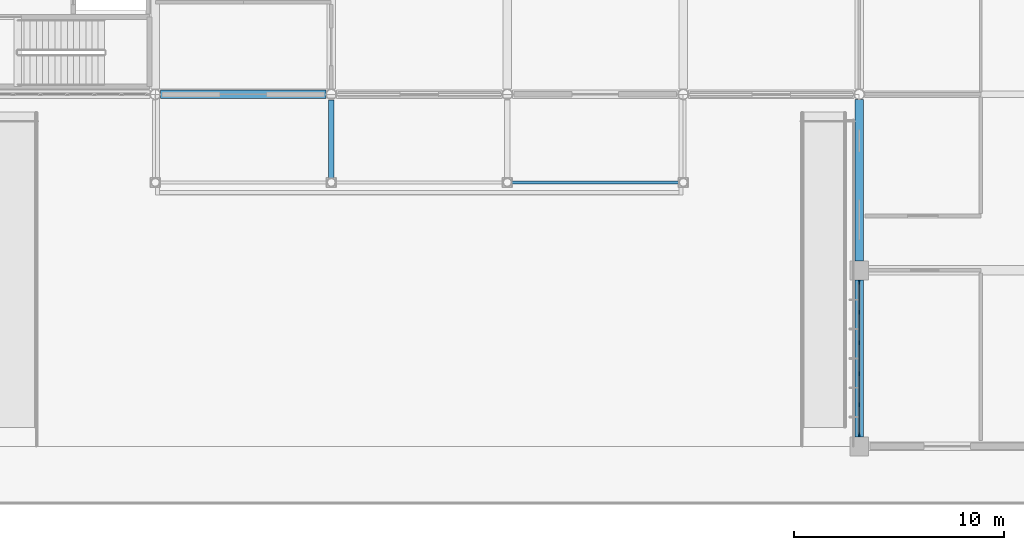
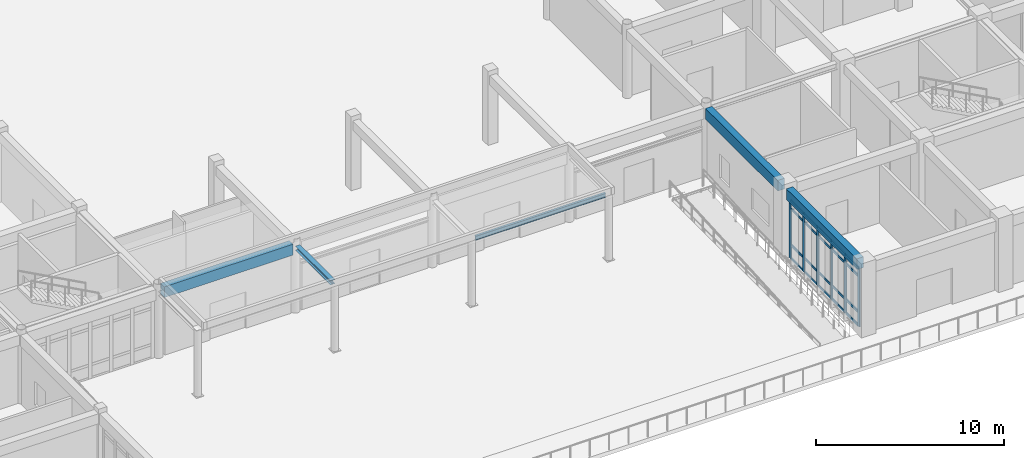
# One storey, part 18 of 138: 26 members, 5 beams, 1 element without a shape of its own.
"""IFC4 building model written with IfcOpenShell, lengths in metres."""

from ifc_helpers import new_model, si_unit, direction, frame, origin, origin_2d, place, context, subcontext, project, spatial, rectangle, i_section, extrude, material, layer, layer_set, material_profile, profile_set, type_object, element, aggregate, save


model = new_model("IFC4")

# Units and contexts
model_context = context("Model", 3, precision=1e-05, world=origin(), true_north=direction((0.0, 1.0)))
body_context = subcontext(model_context, "Body", "Model", "MODEL_VIEW")
ifc_project = project(units=[si_unit("LENGTHUNIT", "METRE"), si_unit("AREAUNIT", "SQUARE_METRE"), si_unit("VOLUMEUNIT", "CUBIC_METRE"), si_unit("PLANEANGLEUNIT", "RADIAN"), si_unit("MASSUNIT", "GRAM", prefix="KILO")], contexts=[model_context])

# Site, building, storey
site_placement = place(None, origin())
site = spatial("IfcSite", under=ifc_project, at=site_placement, CompositionType="ELEMENT")
building_placement = place(site_placement, origin())
building = spatial("IfcBuilding", under=site, at=building_placement, Name="Bramfleet General Hospital", CompositionType="ELEMENT")
storey_placement = place(building_placement, origin())
storey = spatial("IfcBuildingStorey", under=building, at=storey_placement, Name="L00", CompositionType="ELEMENT", Elevation=0.0)

# Beams
ifc_material_1 = material(Name="Steel S355", Category="steel")
ifc_material_profile_1 = material_profile(ifc_material_1, i_section(OverallWidth=0.280029296875, OverallDepth=0.27001953125, WebThickness=0.008056640625, FlangeThickness=0.012939453125, FilletRadius=0.02392578125, at=origin_2d()), Name="HEA 280")
ifc_profile_set_1 = profile_set([ifc_material_profile_1], Name="Steel S355")
beam_type_1 = type_object("IfcBeamType", Name="BM-HEA280", PredefinedType="BEAM", material=ifc_profile_set_1)
beam_1_placement = place(storey_placement, frame((67.199951171875, 12.81005859375, 4.2451171875), z_axis=(0.0, 1.0, 0.0), x_axis=(-1.0, 0.0, 0.0)))
element("IfcBeam", 1, at=beam_1_placement, inside=storey, type_object=beam_type_1, Name="Canopy Outrigger Beam 2", PredefinedType="BEAM", context=body_context, shape_type="SweptSolid", body=[
    extrude(i_section(OverallWidth=0.280029296875, OverallDepth=0.27001953125, WebThickness=0.008056640625, FlangeThickness=0.012939453125, FilletRadius=0.02392578125, at=origin_2d()), origin(), (0.0, 0.0, 1.0), 3.72998046875),
])
ifc_material_profile_2 = material_profile(ifc_material_1, i_section(OverallWidth=0.135009765625, OverallDepth=0.27001953125, WebThickness=0.006591796875, FlangeThickness=0.01025390625, FilletRadius=0.014892578125, at=origin_2d()), Name="IPE 270")
ifc_profile_set_2 = profile_set([ifc_material_profile_2], Name="Steel S355")
beam_type_2 = type_object("IfcBeamType", Name="BM-IPE270", PredefinedType="JOIST", material=ifc_profile_set_2)
beam_2_placement = place(storey_placement, frame((75.81005859375, 12.60009765625, 4.2451171875), z_axis=(1.0, 0.0, 0.0), x_axis=(0.0, 1.0, 0.0)))
element("IfcBeam", 2, at=beam_2_placement, inside=storey, type_object=beam_type_2, Name="Canopy Edge Beam 3", PredefinedType="JOIST", context=body_context, shape_type="SweptSolid", body=[
    extrude(i_section(OverallWidth=0.135009765625, OverallDepth=0.27001953125, WebThickness=0.006591796875, FlangeThickness=0.01025390625, FilletRadius=0.014892578125, at=origin_2d()), origin(), (0.0, 0.0, 1.0), 7.97998046875),
])
ifc_material_2 = material(Name="Concrete C35/45", Category="concrete")
ifc_material_profile_3 = material_profile(ifc_material_2, rectangle(XDim=0.39990234375, YDim=0.699951171875, at=origin_2d()), Name="RC SP 700x400")
ifc_profile_set_3 = profile_set([ifc_material_profile_3], Name="Concrete C35/45")
beam_type_3 = type_object("IfcBeamType", Name="BM-SP700", PredefinedType="SPANDREL", material=ifc_profile_set_3)
beam_3_placement = place(storey_placement, frame((59.053955078125, 16.800048828125, 4.14990234375), z_axis=(1.0, 0.0, 0.0), x_axis=(0.0, 1.0, 0.0)))
element("IfcBeam", 3, at=beam_3_placement, inside=storey, type_object=beam_type_3, Name="L00 Grid Beam X 07-02", PredefinedType="SPANDREL", context=body_context, shape_type="SweptSolid", body=[
    extrude(rectangle(XDim=0.39990234375, YDim=0.699951171875, at=origin_2d()), origin(), (0.0, 0.0, 1.0), 7.89208984375),
])
beam_4_placement = place(storey_placement, frame((92.39990234375, 0.449951171875, 4.14990234375), z_axis=(0.0, 1.0, 0.0), x_axis=(-1.0, 0.0, 0.0)))
element("IfcBeam", 4, at=beam_4_placement, inside=storey, type_object=beam_type_3, Name="L00 Grid Beam Y 11-00", PredefinedType="SPANDREL", context=body_context, shape_type="SweptSolid", body=[
    extrude(rectangle(XDim=0.39990234375, YDim=0.699951171875, at=origin_2d()), origin(), (0.0, 0.0, 1.0), 7.5),
])
beam_5_placement = place(storey_placement, frame((92.39990234375, 8.85009765625, 4.14990234375), z_axis=(0.0, 1.0, 0.0), x_axis=(-1.0, 0.0, 0.0)))
element("IfcBeam", 5, at=beam_5_placement, inside=storey, type_object=beam_type_3, Name="L00 Grid Beam Y 11-01", PredefinedType="SPANDREL", context=body_context, shape_type="SweptSolid", body=[
    extrude(rectangle(XDim=0.39990234375, YDim=0.699951171875, at=origin_2d()), origin(), (0.0, 0.0, 1.0), 7.69580078125),
])

# Curtain wall, members
ifc_material_3 = material(Name="Anodised aluminium and low-E triple glazing", Category="aluminium")
ifc_layer = layer(ifc_material_3, 0.179931640625, Name="CWT-CW-17")
ifc_layer_set = layer_set([ifc_layer], Name="Anodised aluminium and low-E triple glazing")
curtain_wall_type = type_object("IfcCurtainWallType", Name="CWT-CW-17", PredefinedType="USERDEFINED", material=ifc_layer_set)
curtain_wall_placement = place(storey_placement, origin())
curtain_wall = element("IfcCurtainWall", 6, at=curtain_wall_placement, inside=storey, type_object=curtain_wall_type, Name="L00 Curtain Wall 35", ObjectType="Stick curtain wall", PredefinedType="USERDEFINED")
ifc_material_4 = material(Name="Structural timber GL28h", Category="wood")
ifc_material_profile_4 = material_profile(ifc_material_4, rectangle(XDim=0.070068359375, YDim=0.18994140625, at=origin_2d()), Name="LARCH 190x70")
ifc_profile_set_4 = profile_set([ifc_material_profile_4], Name="Structural timber GL28h")
member_type_1 = type_object("IfcMemberType", Name="CWM-LARCH450", PredefinedType="MULLION", material=ifc_profile_set_4)
member_1_placement = place(storey_placement, frame((92.39990234375, 0.56005859375, 0.0), z_axis=(0.0, 0.0, 1.0), x_axis=(-1.0, 0.0, 0.0)))
member_1 = element("IfcMember", 7, at=member_1_placement, type_object=member_type_1, Name="CW-17 mullion 1", PredefinedType="MULLION", context=body_context, shape_type="SweptSolid", body=[
    extrude(rectangle(XDim=0.070068359375, YDim=0.18994140625, at=origin_2d()), origin(), (0.0, 0.0, 1.0), 3.7900390625),
])
member_2_placement = place(storey_placement, frame((92.39990234375, 1.9951171875, 0.0), z_axis=(0.0, 0.0, 1.0), x_axis=(-1.0, 0.0, 0.0)))
member_2 = element("IfcMember", 8, at=member_2_placement, type_object=member_type_1, Name="CW-17 mullion 2", PredefinedType="MULLION", context=body_context, shape_type="SweptSolid", body=[
    extrude(rectangle(XDim=0.070068359375, YDim=0.18994140625, at=origin_2d()), origin(), (0.0, 0.0, 1.0), 3.7900390625),
])
member_3_placement = place(storey_placement, frame((92.39990234375, 3.465087890625, 0.0), z_axis=(0.0, 0.0, 1.0), x_axis=(-1.0, 0.0, 0.0)))
member_3 = element("IfcMember", 9, at=member_3_placement, type_object=member_type_1, Name="CW-17 mullion 3", PredefinedType="MULLION", context=body_context, shape_type="SweptSolid", body=[
    extrude(rectangle(XDim=0.070068359375, YDim=0.18994140625, at=origin_2d()), origin(), (0.0, 0.0, 1.0), 3.7900390625),
])
member_4_placement = place(storey_placement, frame((92.39990234375, 4.93505859375, 0.0), z_axis=(0.0, 0.0, 1.0), x_axis=(-1.0, 0.0, 0.0)))
member_4 = element("IfcMember", 10, at=member_4_placement, type_object=member_type_1, Name="CW-17 mullion 4", PredefinedType="MULLION", context=body_context, shape_type="SweptSolid", body=[
    extrude(rectangle(XDim=0.070068359375, YDim=0.18994140625, at=origin_2d()), origin(), (0.0, 0.0, 1.0), 3.7900390625),
])
member_5_placement = place(storey_placement, frame((92.39990234375, 6.405029296875, 0.0), z_axis=(0.0, 0.0, 1.0), x_axis=(-1.0, 0.0, 0.0)))
member_5 = element("IfcMember", 11, at=member_5_placement, type_object=member_type_1, Name="CW-17 mullion 5", PredefinedType="MULLION", context=body_context, shape_type="SweptSolid", body=[
    extrude(rectangle(XDim=0.070068359375, YDim=0.18994140625, at=origin_2d()), origin(), (0.0, 0.0, 1.0), 3.7900390625),
])
member_6_placement = place(storey_placement, frame((92.39990234375, 7.840087890625, 0.0), z_axis=(0.0, 0.0, 1.0), x_axis=(-1.0, 0.0, 0.0)))
member_6 = element("IfcMember", 12, at=member_6_placement, type_object=member_type_1, Name="CW-17 mullion 6", PredefinedType="MULLION", context=body_context, shape_type="SweptSolid", body=[
    extrude(rectangle(XDim=0.070068359375, YDim=0.18994140625, at=origin_2d()), origin(), (0.0, 0.0, 1.0), 3.7900390625),
])
ifc_material_profile_5 = material_profile(ifc_material_4, rectangle(XDim=0.06494140625, YDim=0.14990234375, at=origin_2d()), Name="LARCH 150x65")
ifc_profile_set_5 = profile_set([ifc_material_profile_5], Name="Structural timber GL28h")
member_type_2 = type_object("IfcMemberType", Name="CWT-LARCH220", PredefinedType="USERDEFINED", material=ifc_profile_set_5)
member_7_placement = place(storey_placement, frame((92.39990234375, 0.594970703125, 0.032470703125), z_axis=(0.0, 1.0, 0.0), x_axis=(-1.0, 0.0, 0.0)))
member_7 = element("IfcMember", 13, at=member_7_placement, type_object=member_type_2, Name="CW-17 transom 1.1", ObjectType="TRANSOM", PredefinedType="USERDEFINED", context=body_context, shape_type="SweptSolid", body=[
    extrude(rectangle(XDim=0.06494140625, YDim=0.14990234375, at=origin_2d()), origin(), (0.0, 0.0, 1.0), 1.364990234375),
])
member_8_placement = place(storey_placement, frame((92.39990234375, 0.594970703125, 0.89990234375), z_axis=(0.0, 1.0, 0.0), x_axis=(-1.0, 0.0, 0.0)))
member_8 = element("IfcMember", 14, at=member_8_placement, type_object=member_type_2, Name="CW-17 transom 1.2", ObjectType="TRANSOM", PredefinedType="USERDEFINED", context=body_context, shape_type="SweptSolid", body=[
    extrude(rectangle(XDim=0.06494140625, YDim=0.14990234375, at=origin_2d()), origin(), (0.0, 0.0, 1.0), 1.364990234375),
])
member_9_placement = place(storey_placement, frame((92.39990234375, 0.594970703125, 3.239990234375), z_axis=(0.0, 1.0, 0.0), x_axis=(-1.0, 0.0, 0.0)))
member_9 = element("IfcMember", 15, at=member_9_placement, type_object=member_type_2, Name="CW-17 transom 1.3", ObjectType="TRANSOM", PredefinedType="USERDEFINED", context=body_context, shape_type="SweptSolid", body=[
    extrude(rectangle(XDim=0.06494140625, YDim=0.14990234375, at=origin_2d()), origin(), (0.0, 0.0, 1.0), 1.364990234375),
])
member_10_placement = place(storey_placement, frame((92.39990234375, 0.594970703125, 3.757568359375), z_axis=(0.0, 1.0, 0.0), x_axis=(-1.0, 0.0, 0.0)))
member_10 = element("IfcMember", 16, at=member_10_placement, type_object=member_type_2, Name="CW-17 transom 1.4", ObjectType="TRANSOM", PredefinedType="USERDEFINED", context=body_context, shape_type="SweptSolid", body=[
    extrude(rectangle(XDim=0.06494140625, YDim=0.14990234375, at=origin_2d()), origin(), (0.0, 0.0, 1.0), 1.364990234375),
])
member_11_placement = place(storey_placement, frame((92.39990234375, 2.030029296875, 0.032470703125), z_axis=(0.0, 1.0, 0.0), x_axis=(-1.0, 0.0, 0.0)))
member_11 = element("IfcMember", 17, at=member_11_placement, type_object=member_type_2, Name="CW-17 transom 2.1", ObjectType="TRANSOM", PredefinedType="USERDEFINED", context=body_context, shape_type="SweptSolid", body=[
    extrude(rectangle(XDim=0.06494140625, YDim=0.14990234375, at=origin_2d()), origin(), (0.0, 0.0, 1.0), 1.39990234375),
])
member_12_placement = place(storey_placement, frame((92.39990234375, 2.030029296875, 0.89990234375), z_axis=(0.0, 1.0, 0.0), x_axis=(-1.0, 0.0, 0.0)))
member_12 = element("IfcMember", 18, at=member_12_placement, type_object=member_type_2, Name="CW-17 transom 2.2", ObjectType="TRANSOM", PredefinedType="USERDEFINED", context=body_context, shape_type="SweptSolid", body=[
    extrude(rectangle(XDim=0.06494140625, YDim=0.14990234375, at=origin_2d()), origin(), (0.0, 0.0, 1.0), 1.39990234375),
])
member_13_placement = place(storey_placement, frame((92.39990234375, 2.030029296875, 3.239990234375), z_axis=(0.0, 1.0, 0.0), x_axis=(-1.0, 0.0, 0.0)))
member_13 = element("IfcMember", 19, at=member_13_placement, type_object=member_type_2, Name="CW-17 transom 2.3", ObjectType="TRANSOM", PredefinedType="USERDEFINED", context=body_context, shape_type="SweptSolid", body=[
    extrude(rectangle(XDim=0.06494140625, YDim=0.14990234375, at=origin_2d()), origin(), (0.0, 0.0, 1.0), 1.39990234375),
])
member_14_placement = place(storey_placement, frame((92.39990234375, 2.030029296875, 3.757568359375), z_axis=(0.0, 1.0, 0.0), x_axis=(-1.0, 0.0, 0.0)))
member_14 = element("IfcMember", 20, at=member_14_placement, type_object=member_type_2, Name="CW-17 transom 2.4", ObjectType="TRANSOM", PredefinedType="USERDEFINED", context=body_context, shape_type="SweptSolid", body=[
    extrude(rectangle(XDim=0.06494140625, YDim=0.14990234375, at=origin_2d()), origin(), (0.0, 0.0, 1.0), 1.39990234375),
])
member_15_placement = place(storey_placement, frame((92.39990234375, 3.5, 0.032470703125), z_axis=(0.0, 1.0, 0.0), x_axis=(-1.0, 0.0, 0.0)))
member_15 = element("IfcMember", 21, at=member_15_placement, type_object=member_type_2, Name="CW-17 transom 3.1", ObjectType="TRANSOM", PredefinedType="USERDEFINED", context=body_context, shape_type="SweptSolid", body=[
    extrude(rectangle(XDim=0.06494140625, YDim=0.14990234375, at=origin_2d()), origin(), (0.0, 0.0, 1.0), 1.39990234375),
])
member_16_placement = place(storey_placement, frame((92.39990234375, 3.5, 0.89990234375), z_axis=(0.0, 1.0, 0.0), x_axis=(-1.0, 0.0, 0.0)))
member_16 = element("IfcMember", 22, at=member_16_placement, type_object=member_type_2, Name="CW-17 transom 3.2", ObjectType="TRANSOM", PredefinedType="USERDEFINED", context=body_context, shape_type="SweptSolid", body=[
    extrude(rectangle(XDim=0.06494140625, YDim=0.14990234375, at=origin_2d()), origin(), (0.0, 0.0, 1.0), 1.39990234375),
])
member_17_placement = place(storey_placement, frame((92.39990234375, 3.5, 3.239990234375), z_axis=(0.0, 1.0, 0.0), x_axis=(-1.0, 0.0, 0.0)))
member_17 = element("IfcMember", 23, at=member_17_placement, type_object=member_type_2, Name="CW-17 transom 3.3", ObjectType="TRANSOM", PredefinedType="USERDEFINED", context=body_context, shape_type="SweptSolid", body=[
    extrude(rectangle(XDim=0.06494140625, YDim=0.14990234375, at=origin_2d()), origin(), (0.0, 0.0, 1.0), 1.39990234375),
])
member_18_placement = place(storey_placement, frame((92.39990234375, 3.5, 3.757568359375), z_axis=(0.0, 1.0, 0.0), x_axis=(-1.0, 0.0, 0.0)))
member_18 = element("IfcMember", 24, at=member_18_placement, type_object=member_type_2, Name="CW-17 transom 3.4", ObjectType="TRANSOM", PredefinedType="USERDEFINED", context=body_context, shape_type="SweptSolid", body=[
    extrude(rectangle(XDim=0.06494140625, YDim=0.14990234375, at=origin_2d()), origin(), (0.0, 0.0, 1.0), 1.39990234375),
])
member_19_placement = place(storey_placement, frame((92.39990234375, 4.969970703125, 0.032470703125), z_axis=(0.0, 1.0, 0.0), x_axis=(-1.0, 0.0, 0.0)))
member_19 = element("IfcMember", 25, at=member_19_placement, type_object=member_type_2, Name="CW-17 transom 4.1", ObjectType="TRANSOM", PredefinedType="USERDEFINED", context=body_context, shape_type="SweptSolid", body=[
    extrude(rectangle(XDim=0.06494140625, YDim=0.14990234375, at=origin_2d()), origin(), (0.0, 0.0, 1.0), 1.400146484375),
])
member_20_placement = place(storey_placement, frame((92.39990234375, 4.969970703125, 0.89990234375), z_axis=(0.0, 1.0, 0.0), x_axis=(-1.0, 0.0, 0.0)))
member_20 = element("IfcMember", 26, at=member_20_placement, type_object=member_type_2, Name="CW-17 transom 4.2", ObjectType="TRANSOM", PredefinedType="USERDEFINED", context=body_context, shape_type="SweptSolid", body=[
    extrude(rectangle(XDim=0.06494140625, YDim=0.14990234375, at=origin_2d()), origin(), (0.0, 0.0, 1.0), 1.400146484375),
])
member_21_placement = place(storey_placement, frame((92.39990234375, 4.969970703125, 3.239990234375), z_axis=(0.0, 1.0, 0.0), x_axis=(-1.0, 0.0, 0.0)))
member_21 = element("IfcMember", 27, at=member_21_placement, type_object=member_type_2, Name="CW-17 transom 4.3", ObjectType="TRANSOM", PredefinedType="USERDEFINED", context=body_context, shape_type="SweptSolid", body=[
    extrude(rectangle(XDim=0.06494140625, YDim=0.14990234375, at=origin_2d()), origin(), (0.0, 0.0, 1.0), 1.400146484375),
])
member_22_placement = place(storey_placement, frame((92.39990234375, 4.969970703125, 3.757568359375), z_axis=(0.0, 1.0, 0.0), x_axis=(-1.0, 0.0, 0.0)))
member_22 = element("IfcMember", 28, at=member_22_placement, type_object=member_type_2, Name="CW-17 transom 4.4", ObjectType="TRANSOM", PredefinedType="USERDEFINED", context=body_context, shape_type="SweptSolid", body=[
    extrude(rectangle(XDim=0.06494140625, YDim=0.14990234375, at=origin_2d()), origin(), (0.0, 0.0, 1.0), 1.400146484375),
])
member_23_placement = place(storey_placement, frame((92.39990234375, 6.43994140625, 0.032470703125), z_axis=(0.0, 1.0, 0.0), x_axis=(-1.0, 0.0, 0.0)))
member_23 = element("IfcMember", 29, at=member_23_placement, type_object=member_type_2, Name="CW-17 transom 5.1", ObjectType="TRANSOM", PredefinedType="USERDEFINED", context=body_context, shape_type="SweptSolid", body=[
    extrude(rectangle(XDim=0.06494140625, YDim=0.14990234375, at=origin_2d()), origin(), (0.0, 0.0, 1.0), 1.364990234375),
])
member_24_placement = place(storey_placement, frame((92.39990234375, 6.43994140625, 0.89990234375), z_axis=(0.0, 1.0, 0.0), x_axis=(-1.0, 0.0, 0.0)))
member_24 = element("IfcMember", 30, at=member_24_placement, type_object=member_type_2, Name="CW-17 transom 5.2", ObjectType="TRANSOM", PredefinedType="USERDEFINED", context=body_context, shape_type="SweptSolid", body=[
    extrude(rectangle(XDim=0.06494140625, YDim=0.14990234375, at=origin_2d()), origin(), (0.0, 0.0, 1.0), 1.364990234375),
])
member_25_placement = place(storey_placement, frame((92.39990234375, 6.43994140625, 3.239990234375), z_axis=(0.0, 1.0, 0.0), x_axis=(-1.0, 0.0, 0.0)))
member_25 = element("IfcMember", 31, at=member_25_placement, type_object=member_type_2, Name="CW-17 transom 5.3", ObjectType="TRANSOM", PredefinedType="USERDEFINED", context=body_context, shape_type="SweptSolid", body=[
    extrude(rectangle(XDim=0.06494140625, YDim=0.14990234375, at=origin_2d()), origin(), (0.0, 0.0, 1.0), 1.364990234375),
])
member_26_placement = place(storey_placement, frame((92.39990234375, 6.43994140625, 3.757568359375), z_axis=(0.0, 1.0, 0.0), x_axis=(-1.0, 0.0, 0.0)))
member_26 = element("IfcMember", 32, at=member_26_placement, type_object=member_type_2, Name="CW-17 transom 5.4", ObjectType="TRANSOM", PredefinedType="USERDEFINED", context=body_context, shape_type="SweptSolid", body=[
    extrude(rectangle(XDim=0.06494140625, YDim=0.14990234375, at=origin_2d()), origin(), (0.0, 0.0, 1.0), 1.364990234375),
])
aggregate(curtain_wall, [member_1, member_2, member_3, member_4, member_5, member_6, member_7, member_8, member_9, member_10, member_11, member_12, member_13, member_14, member_15, member_16, member_17, member_18, member_19, member_20, member_21, member_22, member_23, member_24, member_25, member_26])

save(model, "model.ifc")
